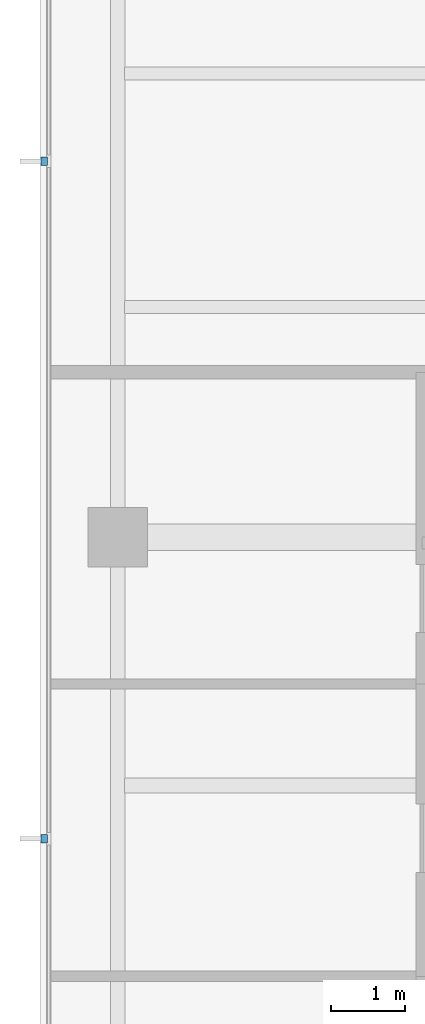
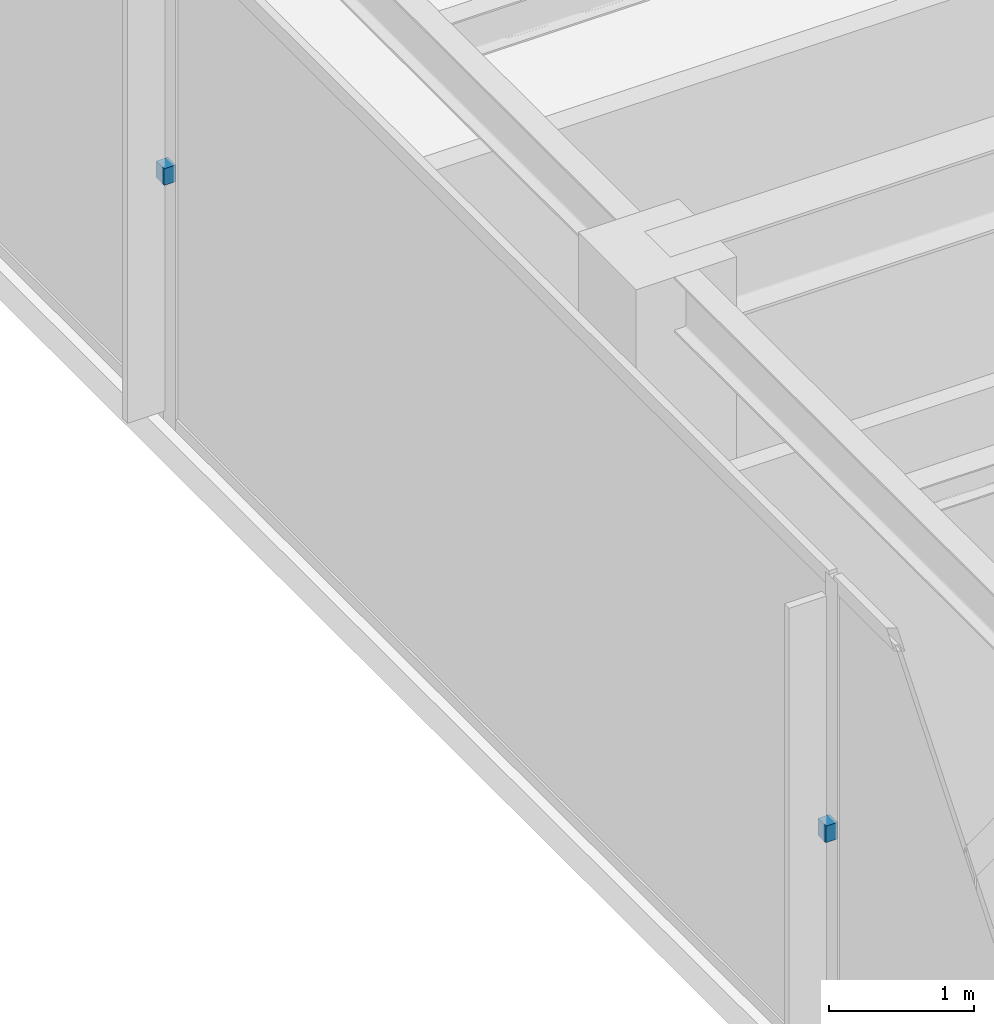
# One storey, part 9 of 11: 2 discrete accessories.
"""IFC4 building model written with IfcOpenShell, lengths in metres."""

import ifcopenshell
import ifcopenshell.guid

model = None  # the IFC model being written
_history = None  # IfcOwnerHistory: only IFC2X3 demands one
_inside = {}  # id of a spatial element -> (the spatial element, [elements in it])
_under = {}  # id of a project, library or spatial element -> (it, [spatial elements below it])
_declared = {}  # id of a project -> (the project, [libraries it declares])
_typed = {}  # id of a type object -> (the type object, [elements of that type])
_made_of = {}  # id of a material, layer set ... -> (it, [elements and type objects made of it])


def new_model(schema):
    """Start an empty IFC model of exactly this schema.

    Asked for "IFC4X3", IfcOpenShell would pick the latest addendum, in which some entities
    have other attributes; the version numbers below select the first issue.
    IFC2X3 requires an IfcOwnerHistory on every rooted entity: one is made here for all.
    """
    global model, _history
    if schema == "IFC4X3":
        model = ifcopenshell.file(schema_version=(4, 3, 0, 0))
    else:
        model = ifcopenshell.file(schema=schema)
    _inside.clear()
    _under.clear()
    _declared.clear()
    _typed.clear()
    _made_of.clear()
    _history = None
    if model.schema == "IFC2X3":
        org = make("IfcOrganization", Name="unknown")
        user = make(
            "IfcPersonAndOrganization",
            ThePerson=make("IfcPerson", FamilyName="unknown"),
            TheOrganization=org,
        )
        app = make(
            "IfcApplication",
            ApplicationDeveloper=org,
            Version="unknown",
            ApplicationFullName="unknown",
            ApplicationIdentifier="unknown",
        )
        _history = make(
            "IfcOwnerHistory",
            OwningUser=user,
            OwningApplication=app,
            ChangeAction="ADDED",
            CreationDate=0,
        )
    return model


def make(cls, **values):
    """One entity of the class cls with the attributes given. An attribute that is None is left unset."""
    return model.create_entity(
        cls, **{name: value for name, value in values.items() if value is not None}
    )


def rooted(cls, **values):
    """An entity with a GlobalId (a new one), such as an element, a storey or a relation."""
    return make(cls, GlobalId=ifcopenshell.guid.new(), OwnerHistory=_history, **values)


def si_unit(unit_type, name, prefix=None):
    """IfcSIUnit, for example si_unit("LENGTHUNIT", "METRE", prefix="MILLI")."""
    return make("IfcSIUnit", UnitType=unit_type, Prefix=prefix, Name=name)


def assignment(units):
    """IfcUnitAssignment: the units of a project."""
    return None if units is None else make("IfcUnitAssignment", Units=units)


def point(xyz):
    """IfcCartesianPoint."""
    return None if xyz is None else make("IfcCartesianPoint", Coordinates=xyz)


def direction(xyz):
    """IfcDirection."""
    return None if xyz is None else make("IfcDirection", DirectionRatios=xyz)


def frame(location, z_axis=None, x_axis=None):
    """IfcAxis2Placement3D, a coordinate frame: its origin and axes. An axis left out is left unset."""
    return make(
        "IfcAxis2Placement3D",
        Location=point(location),
        Axis=direction(z_axis),
        RefDirection=direction(x_axis),
    )


def origin():
    """The frame at (0, 0, 0) with its axes left unset."""
    return frame((0.0, 0.0, 0.0))


def place(relative_to, where):
    """IfcLocalPlacement: puts the frame where relative to a parent placement (None: the world)."""
    return make(
        "IfcLocalPlacement", PlacementRelTo=relative_to, RelativePlacement=where
    )


def context(
    kind, dimensions, precision=None, world=None, true_north=None, identifier=None
):
    """IfcGeometricRepresentationContext, for example the 3D "Model" context."""
    return make(
        "IfcGeometricRepresentationContext",
        ContextIdentifier=identifier,
        ContextType=kind,
        CoordinateSpaceDimension=dimensions,
        Precision=precision,
        WorldCoordinateSystem=world,
        TrueNorth=true_north,
    )


def subcontext(parent, identifier, kind, view, scale=None):
    """IfcGeometricRepresentationSubContext, for example "Body" below "Model"."""
    return make(
        "IfcGeometricRepresentationSubContext",
        ContextIdentifier=identifier,
        ContextType=kind,
        ParentContext=parent,
        TargetScale=scale,
        TargetView=view,
    )


def project(units=None, contexts=None):
    """IfcProject with its units and contexts."""
    return rooted(
        "IfcProject",
        Name="project",
        RepresentationContexts=contexts,
        UnitsInContext=assignment(units),
    )


def spatial(cls, under=None, at=None, **own):
    """A site, building, storey or space (cls), placed at a placement, below another one or the project."""
    s = rooted(cls, ObjectPlacement=at, **own)
    if under is not None:
        _under.setdefault(under.id(), (under, []))[1].append(s)
    return s


def polyline(points):
    """IfcPolyline through the points."""
    return make("IfcPolyline", Points=[point(p) for p in points])


def outline(outer, holes=None, kind="AREA"):
    """IfcArbitraryClosedProfileDef: a profile drawn as a closed curve; with holes, ...WithVoids."""
    if holes is None:
        return make("IfcArbitraryClosedProfileDef", ProfileType=kind, OuterCurve=outer)
    return make(
        "IfcArbitraryProfileDefWithVoids",
        ProfileType=kind,
        OuterCurve=outer,
        InnerCurves=holes,
    )


def extrude(swept, where, along, depth):
    """IfcExtrudedAreaSolid: the profile swept, set in the frame where, extruded along a direction by depth."""
    return make(
        "IfcExtrudedAreaSolid",
        SweptArea=swept,
        Position=where,
        ExtrudedDirection=direction(along),
        Depth=depth,
    )


def shape(context_of_items, identifier, shape_type, items):
    """IfcShapeRepresentation: the items that make up one representation, for example the "Body"."""
    return make(
        "IfcShapeRepresentation",
        ContextOfItems=context_of_items,
        RepresentationIdentifier=identifier,
        RepresentationType=shape_type,
        Items=items,
    )


def material(Name=None, Category=None):
    """IfcMaterial."""
    return make("IfcMaterial", Name=Name, Category=Category)


def made_of(thing, what):
    """Note that an element or type object is made of a material, layer set ...; save() writes the relation."""
    if what is not None:
        _made_of.setdefault(what.id(), (what, []))[1].append(thing)
    return thing


def type_object(cls, material=None, **own):
    """A type object (cls), such as IfcWallType, which elements share."""
    return made_of(rooted(cls, **own), material)


def element(
    cls,
    number,
    at=None,
    inside=None,
    cuts=None,
    type_object=None,
    material=None,
    context=None,
    identifier="Body",
    shape_type=None,
    held_by="IfcProductDefinitionShape",
    body=None,
    shapes=None,
    **own,
):
    """One element of the class cls, such as IfcWall. Its Tag is "e" and its number.

    at: its placement. inside: the storey or other place that contains it. cuts: it is an
    opening in that element (IfcRelVoidsElement). A single representation is given by context,
    identifier, shape_type and body (its items); several are given by shapes. held_by: the class
    of the entity that holds the representations. save() writes the other relations.
    """
    e = rooted(cls, Tag="e%d" % number, ObjectPlacement=at, **own)
    if body is not None:
        shapes = [shape(context, identifier, shape_type, body)]
    if shapes is not None:
        e.Representation = make(held_by, Representations=shapes)
    if inside is not None:
        _inside.setdefault(inside.id(), (inside, []))[1].append(e)
    if cuts is not None:
        rooted(
            "IfcRelVoidsElement", RelatingBuildingElement=cuts, RelatedOpeningElement=e
        )
    if type_object is not None:
        _typed.setdefault(type_object.id(), (type_object, []))[1].append(e)
    return made_of(e, material)


def aggregate(whole, parts):
    """IfcRelAggregates: a whole, such as a stair, and the parts it consists of."""
    return rooted("IfcRelAggregates", RelatingObject=whole, RelatedObjects=parts)


def save(model, path):
    """Write the relations noted so far, then the file.

    IfcRelAggregates (storeys below a building ...), IfcRelContainedInSpatialStructure (elements
    in a storey), IfcRelDefinesByType, IfcRelAssociatesMaterial and IfcRelDeclares: one each for
    every whole, place, type object, material and project.
    """
    for whole, parts in _under.values():
        aggregate(whole, parts)
    for where, things in _inside.values():
        rooted(
            "IfcRelContainedInSpatialStructure",
            RelatedElements=things,
            RelatingStructure=where,
        )
    for kind, things in _typed.values():
        rooted("IfcRelDefinesByType", RelatedObjects=things, RelatingType=kind)
    for what, things in _made_of.values():
        rooted("IfcRelAssociatesMaterial", RelatedObjects=things, RelatingMaterial=what)
    for by, libraries in _declared.values():
        rooted("IfcRelDeclares", RelatingContext=by, RelatedDefinitions=libraries)
    model.write(path)


model = new_model("IFC4")

# Units and contexts
model_context = context("Model", 3, precision=1e-05, world=origin(), true_north=direction((0.0, 1.0)))
body_context = subcontext(model_context, "Body", "Model", "MODEL_VIEW")
ifc_project = project(units=[si_unit("LENGTHUNIT", "METRE"), si_unit("AREAUNIT", "SQUARE_METRE"), si_unit("VOLUMEUNIT", "CUBIC_METRE"), si_unit("PLANEANGLEUNIT", "RADIAN"), si_unit("MASSUNIT", "GRAM", prefix="KILO")], contexts=[model_context])

# Site, building, storey
site_placement = place(None, origin())
site = spatial("IfcSite", under=ifc_project, at=site_placement, CompositionType="ELEMENT")
building_placement = place(site_placement, origin())
building = spatial("IfcBuilding", under=site, at=building_placement, Name="Qalmaran Belvedere Hotel", CompositionType="ELEMENT")
storey_placement = place(building_placement, frame((0.0, 0.0, 280.89990234375)))
storey = spatial("IfcBuildingStorey", under=building, at=storey_placement, Name="L73", CompositionType="ELEMENT", Elevation=280.89990234375)

# Discrete accessories
ifc_material = material(Name="Stainless Steel 1.4401", Category="steel")
discrete_accessory_type = type_object("IfcDiscreteAccessoryType", Name="BRK-FIN-SS316", PredefinedType="BRACKET", material=ifc_material)
discrete_accessory_1_placement = place(storey_placement, frame((0.0, 0.0, 2.080078125)))
element("IfcDiscreteAccessory", 1, at=discrete_accessory_1_placement, inside=storey, type_object=discrete_accessory_type, Name="L73 Fin Bracket 1", PredefinedType="BRACKET", context=body_context, shape_type="SweptSolid", body=[
    extrude(outline(polyline([(11.455078125, 25.62158203125), (11.362548828125, 25.62158203125), (11.362548828125, 25.51171875), (11.455078125, 25.51171875), (11.455078125, 25.62158203125)])), origin(), (0.0, 0.0, 1.0), 0.14013671875),
])
discrete_accessory_2_placement = place(storey_placement, frame((0.0, 0.0, 2.080078125)))
element("IfcDiscreteAccessory", 2, at=discrete_accessory_2_placement, inside=storey, type_object=discrete_accessory_type, Name="L73 Fin Bracket 2", PredefinedType="BRACKET", context=body_context, shape_type="SweptSolid", body=[
    extrude(outline(polyline([(11.455078125, 16.48828125), (11.362548828125, 16.48828125), (11.362548828125, 16.37841796875), (11.455078125, 16.37841796875), (11.455078125, 16.48828125)])), origin(), (0.0, 0.0, 1.0), 0.14013671875),
])

save(model, "model.ifc")
